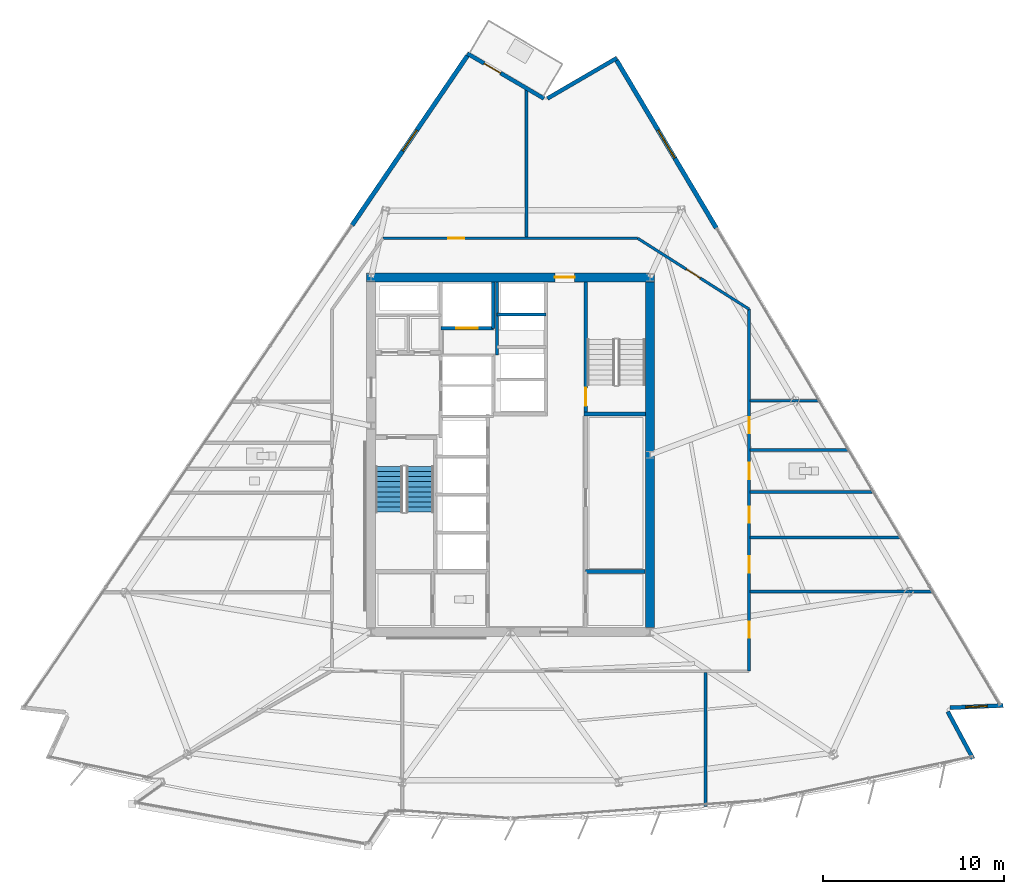
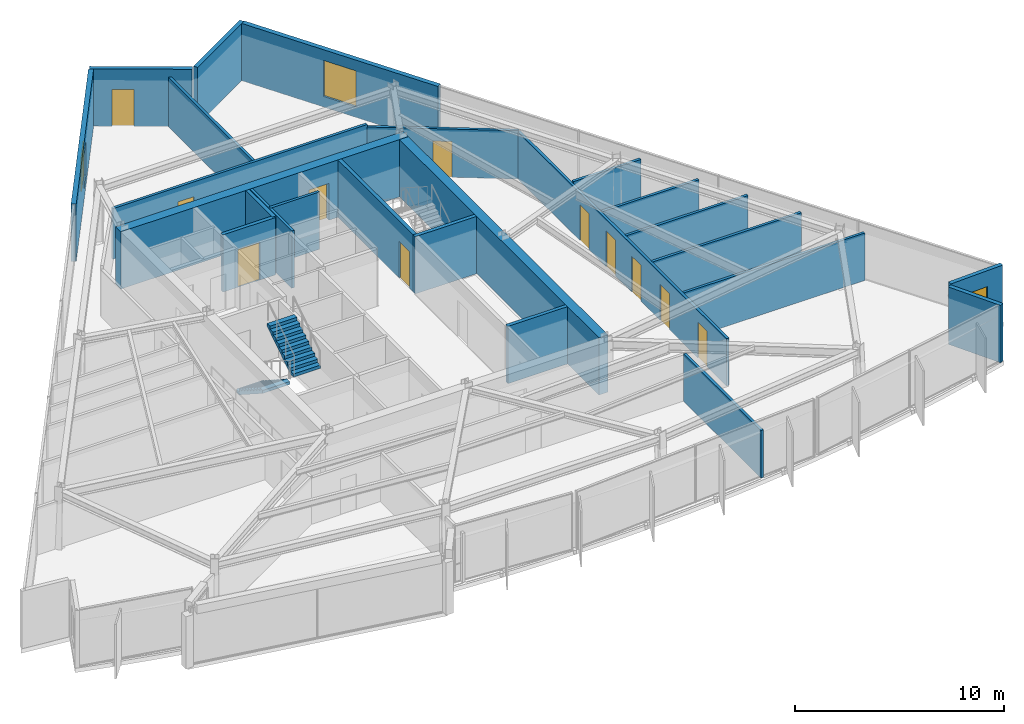
# One storey, part 10 of 16: 25 walls, 11 doors, 3 windows, 2 stair flights, 14 openings, 1 element without a shape of its own.
"""IFC4 building model written with IfcOpenShell, lengths in metres."""

from ifc_helpers import new_model, si_unit, direction, frame, frame_2d, origin, place, context, subcontext, project, spatial, polyline, rectangle, outline, extrude, material, layer, layer_set, type_object, element, fill, aggregate, save


model = new_model("IFC4")

# Units and contexts
model_context = context("Model", 3, precision=1e-05, world=origin(), true_north=direction((0.0, 1.0)))
body_context = subcontext(model_context, "Body", "Model", "MODEL_VIEW")
ifc_project = project(units=[si_unit("LENGTHUNIT", "METRE"), si_unit("AREAUNIT", "SQUARE_METRE"), si_unit("VOLUMEUNIT", "CUBIC_METRE"), si_unit("PLANEANGLEUNIT", "RADIAN"), si_unit("MASSUNIT", "GRAM", prefix="KILO")], contexts=[model_context])

# Site, building, storey
site_placement = place(None, origin())
site = spatial("IfcSite", under=ifc_project, at=site_placement, CompositionType="ELEMENT")
building_placement = place(site_placement, origin())
building = spatial("IfcBuilding", under=site, at=building_placement, Name="Savorim Split Tower", CompositionType="ELEMENT")
storey_placement = place(building_placement, frame((0.0, 0.0, 153.0)))
storey = spatial("IfcBuildingStorey", under=building, at=storey_placement, Name="L40", CompositionType="ELEMENT", Elevation=153.0)

# Wall, opening, door
ifc_material_1 = material(Name="Concrete C60/75", Category="concrete")
ifc_layer_1 = layer(ifc_material_1, 0.5)
ifc_layer_set_1 = layer_set([ifc_layer_1], Name="WAL-COR-SH500")
wall_type_1 = type_object("IfcWallType", Name="WAL-COR-SH500", PredefinedType="SHEAR", material=ifc_layer_set_1)
wall_1_placement = place(storey_placement, frame((7.949951171875, 10.199951171875, 0.0), z_axis=(0.0, 0.0, 1.0), x_axis=(-1.0, 0.0, 0.0)))
wall_1 = element("IfcWall", 1, at=wall_1_placement, inside=storey, type_object=wall_type_1, Name="L40 Offset Core North Shear Wall", PredefinedType="SHEAR", context=body_context, shape_type="SweptSolid", body=[
    extrude(rectangle(XDim=15.89990234375, YDim=0.5, at=frame_2d((7.949951171875, 0.0))), origin(), (0.0, 0.0, 1.0), 3.35009765625),
])
opening_1_placement = place(wall_1_placement, frame((4.39990234375, 0.0, 0.0)))
opening_1 = element("IfcOpeningElement", 2, at=opening_1_placement, cuts=wall_1, Name="Opening DI-03", PredefinedType="OPENING", context=body_context, shape_type="SweptSolid", body=[
    extrude(rectangle(XDim=1.10009765625, YDim=2.14990234375, at=frame_2d((0.550048828125, 1.074951171875))), frame((0.0, 0.260009765625, 0.0), z_axis=(0.0, -1.0, 0.0), x_axis=(1.0, 0.0, 0.0)), (0.0, 0.0, 1.0), 0.52001953125),
])
ifc_material_2 = material(Name="Timber Fire Door Leaf", Category="wood")
door_type_1 = type_object("IfcDoorType", Name="DOR-FIR-1100", OperationType="NOTDEFINED", PredefinedType="DOOR", material=ifc_material_2)
door_1_placement = place(opening_1_placement, origin())
door_1 = element("IfcDoor", 3, at=door_1_placement, inside=storey, type_object=door_type_1, Name="DOR-L40-COR-NLOB - L40 North Corridor Lobby Fire Door", OperationType="SINGLE_SWING_LEFT", OverallHeight=2.14990234375, OverallWidth=1.10009765625, PredefinedType="DOOR", context=body_context, shape_type="SweptSolid", body=[
    extrude(rectangle(XDim=1.10009765625, YDim=2.14990234375, at=frame_2d((0.550048828125, 1.074951171875))), frame((0.0, 0.02490234375, 0.0), z_axis=(0.0, -1.0, 0.0), x_axis=(1.0, 0.0, 0.0)), (0.0, 0.0, 1.0), 0.050048828125),
])
fill(opening_1, door_1)

# Walls
wall_2_placement = place(storey_placement, frame((7.699951171875, 9.949951171875, 0.0), z_axis=(0.0, 0.0, 1.0), x_axis=(0.0, -1.0, 0.0)))
element("IfcWall", 4, at=wall_2_placement, inside=storey, type_object=wall_type_1, Name="L40 Offset Core East Shear Wall", PredefinedType="SHEAR", context=body_context, shape_type="SweptSolid", body=[
    extrude(rectangle(XDim=19.099853515625, YDim=0.5, at=frame_2d((9.5498046875, 0.0))), origin(), (0.0, 0.0, 1.0), 3.35009765625),
])
ifc_material_3 = material(Name="Precast concrete C40/50", Category="concrete")
ifc_layer_2 = layer(ifc_material_3, 0.219970703125)
ifc_layer_set_2 = layer_set([ifc_layer_2], Name="WAL-EXT-CRN220")
wall_type_2 = type_object("IfcWallType", Name="WAL-EXT-CRN220", PredefinedType="SOLIDWALL", material=ifc_layer_set_2)
wall_3_placement = place(storey_placement, frame((24.15478515625, -13.789794921875, 0.0), z_axis=(0.0, 0.0, 1.0), x_axis=(0.472795751791, -0.881172047383, 0.0)))
element("IfcWall", 5, at=wall_3_placement, inside=storey, type_object=wall_type_2, Name="L40 Notched Corner Facade Wall SE1", PredefinedType="SOLIDWALL", context=body_context, shape_type="SweptSolid", body=[
    extrude(rectangle(XDim=2.948486328125, YDim=0.219970703125, at=frame_2d((1.47412109375, 0.0))), origin(), (0.0, 0.0, 1.0), 3.35009765625),
])

# Wall, opening, window
wall_4_placement = place(storey_placement, frame((27.219482421875, -13.450927734375, 0.0), z_axis=(0.0, 0.0, 1.0), x_axis=(-0.999095615947, -0.042519997593, 0.0)))
wall_4 = element("IfcWall", 6, at=wall_4_placement, inside=storey, type_object=wall_type_2, Name="L40 Notched Corner Facade Wall SE", PredefinedType="SOLIDWALL", context=body_context, shape_type="SweptSolid", body=[
    extrude(rectangle(XDim=2.945556640625, YDim=0.219970703125, at=frame_2d((1.47265625, 0.0))), origin(), (0.0, 0.0, 1.0), 3.35009765625),
])
opening_2_placement = place(wall_4_placement, frame((0.872802734375, 0.0, 0.6201171875)))
opening_2 = element("IfcOpeningElement", 7, at=opening_2_placement, cuts=wall_4, Name="Opening WN-08", PredefinedType="OPENING", context=body_context, shape_type="SweptSolid", body=[
    extrude(rectangle(XDim=1.199951171875, YDim=1.800048828125, at=frame_2d((0.60009765625, 0.89990234375))), frame((0.0, 0.119873046875, 0.0), z_axis=(0.0, -1.0, 0.0), x_axis=(1.0, 0.0, 0.0)), (0.0, 0.0, 1.0), 0.239990234375),
])
ifc_material_4 = material(Name="Low-E Operable Double Glazing", Category="glass")
window_type_1 = type_object("IfcWindowType", Name="WIN-TWR-1200x1800", PartitioningType="SINGLE_PANEL", PredefinedType="WINDOW", material=ifc_material_4)
window_1_placement = place(opening_2_placement, origin())
window_1 = element("IfcWindow", 8, at=window_1_placement, inside=storey, type_object=window_type_1, Name="L40 Operable Corner Window SE", OverallHeight=1.800048828125, OverallWidth=1.199951171875, PartitioningType="SINGLE_PANEL", PredefinedType="WINDOW", context=body_context, shape_type="SweptSolid", body=[
    extrude(rectangle(XDim=1.199951171875, YDim=1.800048828125, at=frame_2d((0.60009765625, 0.89990234375))), frame((0.0, 0.030029296875, 0.0), z_axis=(0.0, -1.0, 0.0), x_axis=(1.0, 0.0, 0.0)), (0.0, 0.0, 1.0), 0.06005859375),
])
fill(opening_2, window_1)

# Wall
wall_5_placement = place(storey_placement, frame((2.03857421875, 20.079345703125, 0.0), z_axis=(0.0, 0.0, 1.0), x_axis=(0.86398603623, 0.503515768571, 0.0)))
element("IfcWall", 9, at=wall_5_placement, inside=storey, type_object=wall_type_2, Name="L40 Notched Corner Facade Wall NE1", PredefinedType="SOLIDWALL", context=body_context, shape_type="SweptSolid", body=[
    extrude(rectangle(XDim=4.4443359375, YDim=0.219970703125, at=frame_2d((2.22216796875, 0.0))), origin(), (0.0, 0.0, 1.0), 3.35009765625),
])

# Wall, opening, door
wall_6_placement = place(storey_placement, frame((-2.384521484375, 22.5673828125, 0.0), z_axis=(0.0, 0.0, 1.0), x_axis=(0.8621258938, -0.506694131839, 0.0)))
wall_6 = element("IfcWall", 10, at=wall_6_placement, inside=storey, type_object=wall_type_2, Name="L40 Notched Corner Facade Wall N", PredefinedType="SOLIDWALL", context=body_context, shape_type="SweptSolid", body=[
    extrude(rectangle(XDim=4.909912109375, YDim=0.219970703125, at=frame_2d((2.455078125, 0.0))), origin(), (0.0, 0.0, 1.0), 3.35009765625),
])
opening_3_placement = place(wall_6_placement, frame((1.079833984375, 0.0, 0.0)))
opening_3 = element("IfcOpeningElement", 11, at=opening_3_placement, cuts=wall_6, Name="Opening DB-01", PredefinedType="OPENING", context=body_context, shape_type="SweptSolid", body=[
    extrude(rectangle(XDim=1.050048828125, YDim=2.14990234375, at=frame_2d((0.52490234375, 1.074951171875))), frame((0.0, 0.119873046875, 0.0), z_axis=(0.0, -1.0, 0.0), x_axis=(1.0, 0.0, 0.0)), (0.0, 0.0, 1.0), 0.239990234375),
])
ifc_material_5 = material(Name="Charcoal Anodised Aluminium", Category="aluminium")
door_type_2 = type_object("IfcDoorType", Name="DOR-BAL-1050", OperationType="NOTDEFINED", PredefinedType="DOOR", material=ifc_material_5)
door_2_placement = place(opening_3_placement, origin())
door_2 = element("IfcDoor", 12, at=door_2_placement, inside=storey, type_object=door_type_2, Name="DOR-L40-TBAL-N - L40 Planted Tree Balcony Door N", OperationType="SINGLE_SWING_LEFT", OverallHeight=2.14990234375, OverallWidth=1.050048828125, PredefinedType="DOOR", context=body_context, shape_type="SweptSolid", body=[
    extrude(rectangle(XDim=1.050048828125, YDim=2.14990234375, at=frame_2d((0.52490234375, 1.074951171875))), frame((0.0, 0.02490234375, 0.0), z_axis=(0.0, -1.0, 0.0), x_axis=(1.0, 0.0, 0.0)), (0.0, 0.0, 1.0), 0.050048828125),
])
fill(opening_3, door_2)

# Wall, opening, window
ifc_layer_3 = layer(ifc_material_3, 0.25)
ifc_layer_set_3 = layer_set([ifc_layer_3], Name="WAL-EXT-SPN250")
wall_type_3 = type_object("IfcWallType", Name="WAL-EXT-SPN250", PredefinedType="SOLIDWALL", material=ifc_layer_set_3)
wall_7_placement = place(storey_placement, frame((5.86181640625, 22.1904296875, 0.0), z_axis=(0.0, 0.0, 1.0), x_axis=(0.511083986456, -0.859530778267, 0.0)))
wall_7 = element("IfcWall", 13, at=wall_7_placement, inside=storey, type_object=wall_type_3, Name="L40 East Operable Window Pier", PredefinedType="SOLIDWALL", context=body_context, shape_type="SweptSolid", body=[
    extrude(rectangle(XDim=10.778076171875, YDim=0.25, at=frame_2d((5.38916015625, 0.0))), origin(), (0.0, 0.0, 1.0), 3.35009765625),
])
opening_4_placement = place(wall_7_placement, frame((4.4892578125, 0.0, 0.6201171875)))
opening_4 = element("IfcOpeningElement", 14, at=opening_4_placement, cuts=wall_7, Name="Opening WN-04", PredefinedType="OPENING", context=body_context, shape_type="SweptSolid", body=[
    extrude(rectangle(XDim=1.800048828125, YDim=2.10009765625, at=frame_2d((0.89990234375, 1.050048828125))), frame((0.0, 0.135009765625, 0.0), z_axis=(0.0, -1.0, 0.0), x_axis=(1.0, 0.0, 0.0)), (0.0, 0.0, 1.0), 0.27001953125),
])
window_type_2 = type_object("IfcWindowType", Name="WIN-TWR-1800x2100", PartitioningType="DOUBLE_PANEL_VERTICAL", PredefinedType="WINDOW", material=ifc_material_4)
window_2_placement = place(opening_4_placement, origin())
window_2 = element("IfcWindow", 15, at=window_2_placement, inside=storey, type_object=window_type_2, Name="L40 East Operable Ventilation Window", OverallHeight=2.10009765625, OverallWidth=1.800048828125, PartitioningType="SINGLE_PANEL", PredefinedType="WINDOW", context=body_context, shape_type="SweptSolid", body=[
    extrude(rectangle(XDim=1.800048828125, YDim=2.10009765625, at=frame_2d((0.89990234375, 1.050048828125))), frame((0.0, 0.030029296875, 0.0), z_axis=(0.0, -1.0, 0.0), x_axis=(1.0, 0.0, 0.0)), (0.0, 0.0, 1.0), 0.06005859375),
])
fill(opening_4, window_2)

wall_8_placement = place(storey_placement, frame((-8.75048828125, 13.080810546875, 0.0), z_axis=(0.0, 0.0, 1.0), x_axis=(0.562463958751, 0.82682180372, 0.0)))
wall_8 = element("IfcWall", 16, at=wall_8_placement, inside=storey, type_object=wall_type_3, Name="L40 West Operable Window Pier", PredefinedType="SOLIDWALL", context=body_context, shape_type="SweptSolid", body=[
    extrude(rectangle(XDim=11.321533203125, YDim=0.25, at=frame_2d((5.66064453125, 0.0))), origin(), (0.0, 0.0, 1.0), 3.35009765625),
])
opening_5_placement = place(wall_8_placement, frame((4.960693359375, 0.0, 0.6201171875)))
opening_5 = element("IfcOpeningElement", 17, at=opening_5_placement, cuts=wall_8, Name="Opening WN-07", PredefinedType="OPENING", context=body_context, shape_type="SweptSolid", body=[
    extrude(rectangle(XDim=1.39990234375, YDim=2.0, at=frame_2d((0.699951171875, 1.0))), frame((0.0, 0.135009765625, 0.0), z_axis=(0.0, -1.0, 0.0), x_axis=(1.0, 0.0, 0.0)), (0.0, 0.0, 1.0), 0.27001953125),
])
window_type_3 = type_object("IfcWindowType", Name="WIN-TWR-1400x2000", PartitioningType="SINGLE_PANEL", PredefinedType="WINDOW", material=ifc_material_4)
window_3_placement = place(opening_5_placement, origin())
window_3 = element("IfcWindow", 18, at=window_3_placement, inside=storey, type_object=window_type_3, Name="L40 West Operable Ventilation Window", OverallHeight=2.0, OverallWidth=1.39990234375, PartitioningType="SINGLE_PANEL", PredefinedType="WINDOW", context=body_context, shape_type="SweptSolid", body=[
    extrude(rectangle(XDim=1.39990234375, YDim=2.0, at=frame_2d((0.699951171875, 1.0))), frame((0.0, 0.030029296875, 0.0), z_axis=(0.0, -1.0, 0.0), x_axis=(1.0, 0.0, 0.0)), (0.0, 0.0, 1.0), 0.06005859375),
])
fill(opening_5, window_3)

# Wall, opening, door
ifc_material_6 = material(Name="Concrete C50/60", Category="concrete")
ifc_layer_4 = layer(ifc_material_6, 0.199951171875)
ifc_layer_set_4 = layer_set([ifc_layer_4], Name="WAL-INT-RC200")
wall_type_4 = type_object("IfcWallType", Name="WAL-INT-RC200", PredefinedType="SOLIDWALL", material=ifc_layer_set_4)
wall_9_placement = place(storey_placement, frame((4.14990234375, 2.75, 0.0), z_axis=(0.0, 0.0, 1.0), x_axis=(0.0, 1.0, 0.0)))
wall_9 = element("IfcWall", 19, at=wall_9_placement, inside=storey, type_object=wall_type_4, Name="L40 Structural Shaft Wall W-L40-CR07", PredefinedType="SOLIDWALL", context=body_context, shape_type="SweptSolid", body=[
    extrude(rectangle(XDim=7.199951171875, YDim=0.199951171875, at=frame_2d((3.60009765625, 0.0))), origin(), (0.0, 0.0, 1.0), 3.35009765625),
])
opening_6_placement = place(wall_9_placement, frame((0.35009765625, 0.0, 0.0)))
opening_6 = element("IfcOpeningElement", 20, at=opening_6_placement, cuts=wall_9, Name="Opening DI-04", PredefinedType="OPENING", context=body_context, shape_type="SweptSolid", body=[
    extrude(rectangle(XDim=1.0, YDim=2.14990234375, at=frame_2d((0.5, 1.074951171875))), frame((0.0, 0.10986328125, 0.0), z_axis=(0.0, -1.0, 0.0), x_axis=(1.0, 0.0, 0.0)), (0.0, 0.0, 1.0), 0.219970703125),
])
door_type_3 = type_object("IfcDoorType", Name="DOR-FIR-1000", OperationType="NOTDEFINED", PredefinedType="DOOR", material=ifc_material_2)
door_3_placement = place(opening_6_placement, origin())
door_3 = element("IfcDoor", 21, at=door_3_placement, inside=storey, type_object=door_type_3, Name="DR-L40-ST2 - L40 Stair ST-2 Enclosure Door", OperationType="SINGLE_SWING_RIGHT", OverallHeight=2.14990234375, OverallWidth=1.0, PredefinedType="DOOR", context=body_context, shape_type="SweptSolid", body=[
    extrude(rectangle(XDim=1.0, YDim=2.14990234375, at=frame_2d((0.5, 1.074951171875))), frame((0.0, 0.02490234375, 0.0), z_axis=(0.0, -1.0, 0.0), x_axis=(1.0, 0.0, 0.0)), (0.0, 0.0, 1.0), 0.050048828125),
])
fill(opening_6, door_3)

# Wall
wall_10_placement = place(storey_placement, frame((4.050048828125, 2.64990234375, 0.0), z_axis=(0.0, 0.0, 1.0), x_axis=(1.0, 0.0, 0.0)))
element("IfcWall", 22, at=wall_10_placement, inside=storey, type_object=wall_type_4, Name="L40 Structural Shaft Wall W-L40-CR08", PredefinedType="SOLIDWALL", context=body_context, shape_type="SweptSolid", body=[
    extrude(rectangle(XDim=3.39990234375, YDim=0.199951171875, at=frame_2d((1.699951171875, 0.0))), origin(), (0.0, 0.0, 1.0), 3.35009765625),
])

# Wall, opening, door
wall_11_placement = place(storey_placement, frame((-3.85009765625, 7.3798828125, 0.0), z_axis=(0.0, 0.0, 1.0), x_axis=(1.0, 0.0, 0.0)))
wall_11 = element("IfcWall", 23, at=wall_11_placement, inside=storey, type_object=wall_type_4, Name="L40 Partition W-L40-SVLS", PredefinedType="SOLIDWALL", context=body_context, shape_type="SweptSolid", body=[
    extrude(rectangle(XDim=2.900146484375, YDim=0.199951171875, at=frame_2d((1.4501953125, 0.0))), origin(), (0.0, 0.0, 1.0), 3.35009765625),
])
opening_7_placement = place(wall_11_placement, frame((0.85009765625, 0.0, 0.0)))
opening_7 = element("IfcOpeningElement", 24, at=opening_7_placement, cuts=wall_11, Name="Opening LD-SV", PredefinedType="OPENING", context=body_context, shape_type="SweptSolid", body=[
    extrude(rectangle(XDim=1.199951171875, YDim=2.199951171875, at=frame_2d((0.60009765625, 1.10009765625))), frame((0.0, 0.10986328125, 0.0), z_axis=(0.0, -1.0, 0.0), x_axis=(1.0, 0.0, 0.0)), (0.0, 0.0, 1.0), 0.219970703125),
])
door_type_4 = type_object("IfcDoorType", Name="DOR-SLD-SV1200", OperationType="NOTDEFINED", PredefinedType="DOOR", material=ifc_material_5)
door_4_placement = place(opening_7_placement, origin())
door_4 = element("IfcDoor", 25, at=door_4_placement, inside=storey, type_object=door_type_4, Name="DR-L40-LD-SVL1 - L40 Service Lift SVL-1 Sliding Landing Door", OperationType="DOUBLE_DOOR_SLIDING", OverallHeight=2.199951171875, OverallWidth=1.199951171875, PredefinedType="DOOR", context=body_context, shape_type="SweptSolid", body=[
    extrude(rectangle(XDim=1.199951171875, YDim=2.199951171875, at=frame_2d((0.60009765625, 1.10009765625))), frame((0.0, 0.02490234375, 0.0), z_axis=(0.0, -1.0, 0.0), x_axis=(1.0, 0.0, 0.0)), (0.0, 0.0, 1.0), 0.050048828125),
])
fill(opening_7, door_4)

# Walls
wall_12_placement = place(storey_placement, frame((-0.949951171875, 7.3798828125, 0.0), z_axis=(0.0, 0.0, 1.0), x_axis=(0.0, 1.0, 0.0)))
element("IfcWall", 26, at=wall_12_placement, inside=storey, type_object=wall_type_4, Name="L40 Partition W-L40-SVLE", PredefinedType="SOLIDWALL", context=body_context, shape_type="SweptSolid", body=[
    extrude(rectangle(XDim=2.565185546875, YDim=0.199951171875, at=frame_2d((1.28271484375, 0.0))), origin(), (0.0, 0.0, 1.0), 3.35009765625),
])
wall_13_placement = place(storey_placement, frame((4.14990234375, -6.050048828125, 0.0), z_axis=(0.0, 0.0, 1.0), x_axis=(1.0, 0.0, 0.0)))
element("IfcWall", 27, at=wall_13_placement, inside=storey, type_object=wall_type_4, Name="L40 Partition W-L40-KSEP-E", PredefinedType="SOLIDWALL", context=body_context, shape_type="SweptSolid", body=[
    extrude(rectangle(XDim=3.295166015625, YDim=0.199951171875, at=frame_2d((1.6474609375, 0.0))), origin(), (0.0, 0.0, 1.0), 3.35009765625),
])
ifc_material_7 = material(Name="Acoustic Gypsum Partition Board")
ifc_layer_5 = layer(ifc_material_7, 0.14990234375)
ifc_layer_set_5 = layer_set([ifc_layer_5], Name="WAL-PAR-150")
wall_type_5 = type_object("IfcWallType", Name="WAL-PAR-150", PredefinedType="PARTITIONING", material=ifc_layer_set_5)
wall_14_placement = place(storey_placement, frame((-0.75, 5.919921875, 0.0), z_axis=(0.0, 0.0, 1.0), x_axis=(0.0, 1.0, 0.0)))
element("IfcWall", 28, at=wall_14_placement, inside=storey, type_object=wall_type_5, Name="L40 Partition W-L40-B3WEST", PredefinedType="PARTITIONING", context=body_context, shape_type="SweptSolid", body=[
    extrude(rectangle(XDim=4.025146484375, YDim=0.14990234375, at=frame_2d((2.0126953125, 0.0))), origin(), (0.0, 0.0, 1.0), 3.35009765625),
])
wall_15_placement = place(storey_placement, frame((-0.75, 8.14990234375, 0.0), z_axis=(0.0, 0.0, 1.0), x_axis=(1.0, 0.0, 0.0)))
element("IfcWall", 29, at=wall_15_placement, inside=storey, type_object=wall_type_5, Name="L40 Partition W-L40-B3DIV3", PredefinedType="PARTITIONING", context=body_context, shape_type="SweptSolid", body=[
    extrude(rectangle(XDim=2.699951171875, YDim=0.14990234375, at=frame_2d((1.35009765625, 0.0))), origin(), (0.0, 0.0, 1.0), 3.35009765625),
])

# Wall, opening, door
wall_16_placement = place(storey_placement, frame((-7.041015625, 12.360107421875, 0.0), z_axis=(0.0, 0.0, 1.0), x_axis=(1.0, 0.0, 0.0)))
wall_16 = element("IfcWall", 30, at=wall_16_placement, inside=storey, type_object=wall_type_5, Name="L40 Partition W-L40-COR-03", PredefinedType="PARTITIONING", context=body_context, shape_type="SweptSolid", body=[
    extrude(rectangle(XDim=14.064208984375, YDim=0.14990234375, at=frame_2d((7.0322265625, 0.0))), origin(), (0.0, 0.0, 1.0), 2.965087890625),
])
opening_8_placement = place(wall_16_placement, frame((3.59912109375, 0.0, 0.0)))
opening_8 = element("IfcOpeningElement", 31, at=opening_8_placement, cuts=wall_16, Name="Opening DI-06", PredefinedType="OPENING", context=body_context, shape_type="SweptSolid", body=[
    extrude(rectangle(XDim=0.89990234375, YDim=2.10009765625, at=frame_2d((0.449951171875, 1.050048828125))), frame((0.0, 0.0849609375, 0.0), z_axis=(0.0, -1.0, 0.0), x_axis=(1.0, 0.0, 0.0)), (0.0, 0.0, 1.0), 0.169921875),
])
door_type_5 = type_object("IfcDoorType", Name="DOR-FIR-900", OperationType="NOTDEFINED", PredefinedType="DOOR", material=ifc_material_2)
door_5_placement = place(opening_8_placement, origin())
door_5 = element("IfcDoor", 32, at=door_5_placement, inside=storey, type_object=door_type_5, Name="DR-L40-RM14 - L40 Co-Working Commons Entry Door", OperationType="SINGLE_SWING_LEFT", OverallHeight=2.10009765625, OverallWidth=0.89990234375, PredefinedType="DOOR", context=body_context, shape_type="SweptSolid", body=[
    extrude(rectangle(XDim=0.89990234375, YDim=2.10009765625, at=frame_2d((0.449951171875, 1.050048828125))), frame((0.0, 0.02490234375, 0.0), z_axis=(0.0, -1.0, 0.0), x_axis=(1.0, 0.0, 0.0)), (0.0, 0.0, 1.0), 0.050048828125),
])
fill(opening_8, door_5)

wall_17_placement = place(storey_placement, frame((7.023193359375, 12.360107421875, 0.0), z_axis=(0.0, 0.0, 1.0), x_axis=(0.84376480085, -0.536713108511, 0.0)))
wall_17 = element("IfcWall", 33, at=wall_17_placement, inside=storey, type_object=wall_type_5, Name="L40 Partition W-L40-COR-04", PredefinedType="PARTITIONING", context=body_context, shape_type="SweptSolid", body=[
    extrude(rectangle(XDim=7.296630859375, YDim=0.14990234375, at=frame_2d((3.6484375, 0.0))), origin(), (0.0, 0.0, 1.0), 2.824951171875),
])
opening_9_placement = place(wall_17_placement, frame((3.1982421875, 0.0, 0.0)))
opening_9 = element("IfcOpeningElement", 34, at=opening_9_placement, cuts=wall_17, Name="Opening DI-06", PredefinedType="OPENING", context=body_context, shape_type="SweptSolid", body=[
    extrude(rectangle(XDim=0.89990234375, YDim=2.10009765625, at=frame_2d((0.449951171875, 1.050048828125))), frame((0.0, 0.0849609375, 0.0), z_axis=(0.0, -1.0, 0.0), x_axis=(1.0, 0.0, 0.0)), (0.0, 0.0, 1.0), 0.169921875),
])
door_6_placement = place(opening_9_placement, origin())
door_6 = element("IfcDoor", 35, at=door_6_placement, inside=storey, type_object=door_type_5, Name="DR-L40-RM13 - L40 Co-Working Commons Entry Door", OperationType="SINGLE_SWING_RIGHT", OverallHeight=2.10009765625, OverallWidth=0.89990234375, PredefinedType="DOOR", context=body_context, shape_type="SweptSolid", body=[
    extrude(rectangle(XDim=0.89990234375, YDim=2.10009765625, at=frame_2d((0.449951171875, 1.050048828125))), frame((0.0, 0.02490234375, 0.0), z_axis=(0.0, -1.0, 0.0), x_axis=(1.0, 0.0, 0.0)), (0.0, 0.0, 1.0), 0.050048828125),
])
fill(opening_9, door_6)

# Wall, openings, doors
wall_18_placement = place(storey_placement, frame((13.179931640625, 8.44384765625, 0.0), z_axis=(0.0, 0.0, 1.0), x_axis=(0.0, -1.0, 0.0)))
wall_18 = element("IfcWall", 36, at=wall_18_placement, inside=storey, type_object=wall_type_5, Name="L40 Partition W-L40-COR-05", PredefinedType="PARTITIONING", context=body_context, shape_type="SweptSolid", body=[
    extrude(rectangle(XDim=20.00390625, YDim=0.14990234375, at=frame_2d((10.001953125, 0.0))), origin(), (0.0, 0.0, 1.0), 2.77490234375),
])
opening_10_placement = place(wall_18_placement, frame((17.264404296875, 0.0, 0.0)))
opening_10 = element("IfcOpeningElement", 37, at=opening_10_placement, cuts=wall_18, Name="Opening DI-06", PredefinedType="OPENING", context=body_context, shape_type="SweptSolid", body=[
    extrude(rectangle(XDim=0.89990234375, YDim=2.10009765625, at=frame_2d((0.449951171875, 1.050048828125))), frame((0.0, 0.0849609375, 0.0), z_axis=(0.0, -1.0, 0.0), x_axis=(1.0, 0.0, 0.0)), (0.0, 0.0, 1.0), 0.169921875),
])
opening_11_placement = place(wall_18_placement, frame((13.6591796875, 0.0, 0.0)))
opening_11 = element("IfcOpeningElement", 38, at=opening_11_placement, cuts=wall_18, Name="Opening DI-06", PredefinedType="OPENING", context=body_context, shape_type="SweptSolid", body=[
    extrude(rectangle(XDim=0.89990234375, YDim=2.10009765625, at=frame_2d((0.449951171875, 1.050048828125))), frame((0.0, 0.0849609375, 0.0), z_axis=(0.0, -1.0, 0.0), x_axis=(1.0, 0.0, 0.0)), (0.0, 0.0, 1.0), 0.169921875),
])
opening_12_placement = place(wall_18_placement, frame((10.905517578125, 0.0, 0.0)))
opening_12 = element("IfcOpeningElement", 39, at=opening_12_placement, cuts=wall_18, Name="Opening DI-06", PredefinedType="OPENING", context=body_context, shape_type="SweptSolid", body=[
    extrude(rectangle(XDim=0.89990234375, YDim=2.10009765625, at=frame_2d((0.449951171875, 1.050048828125))), frame((0.0, 0.0849609375, 0.0), z_axis=(0.0, -1.0, 0.0), x_axis=(1.0, 0.0, 0.0)), (0.0, 0.0, 1.0), 0.169921875),
])
opening_13_placement = place(wall_18_placement, frame((8.4892578125, 0.0, 0.0)))
opening_13 = element("IfcOpeningElement", 40, at=opening_13_placement, cuts=wall_18, Name="Opening DI-11", PredefinedType="OPENING", context=body_context, shape_type="SweptSolid", body=[
    extrude(rectangle(XDim=0.89990234375, YDim=2.10009765625, at=frame_2d((0.449951171875, 1.050048828125))), frame((0.0, 0.0849609375, 0.0), z_axis=(0.0, -1.0, 0.0), x_axis=(1.0, 0.0, 0.0)), (0.0, 0.0, 1.0), 0.169921875),
])
opening_14_placement = place(wall_18_placement, frame((5.969482421875, 0.0, 0.0)))
opening_14 = element("IfcOpeningElement", 41, at=opening_14_placement, cuts=wall_18, Name="Opening DI-06", PredefinedType="OPENING", context=body_context, shape_type="SweptSolid", body=[
    extrude(rectangle(XDim=0.89990234375, YDim=2.10009765625, at=frame_2d((0.449951171875, 1.050048828125))), frame((0.0, 0.0849609375, 0.0), z_axis=(0.0, -1.0, 0.0), x_axis=(1.0, 0.0, 0.0)), (0.0, 0.0, 1.0), 0.169921875),
])
door_7_placement = place(opening_10_placement, origin())
door_7 = element("IfcDoor", 42, at=door_7_placement, inside=storey, type_object=door_type_5, Name="DR-L40-RM08 - L40 Co-Working Commons Entry Door", OperationType="SINGLE_SWING_LEFT", OverallHeight=2.10009765625, OverallWidth=0.89990234375, PredefinedType="DOOR", context=body_context, shape_type="SweptSolid", body=[
    extrude(rectangle(XDim=0.89990234375, YDim=2.10009765625, at=frame_2d((0.449951171875, 1.050048828125))), frame((0.0, 0.02490234375, 0.0), z_axis=(0.0, -1.0, 0.0), x_axis=(1.0, 0.0, 0.0)), (0.0, 0.0, 1.0), 0.050048828125),
])
fill(opening_10, door_7)
door_8_placement = place(opening_11_placement, origin())
door_8 = element("IfcDoor", 43, at=door_8_placement, inside=storey, type_object=door_type_5, Name="DR-L40-RM09 - L40 Co-Working Commons Entry Door", OperationType="SINGLE_SWING_RIGHT", OverallHeight=2.10009765625, OverallWidth=0.89990234375, PredefinedType="DOOR", context=body_context, shape_type="SweptSolid", body=[
    extrude(rectangle(XDim=0.89990234375, YDim=2.10009765625, at=frame_2d((0.449951171875, 1.050048828125))), frame((0.0, 0.02490234375, 0.0), z_axis=(0.0, -1.0, 0.0), x_axis=(1.0, 0.0, 0.0)), (0.0, 0.0, 1.0), 0.050048828125),
])
fill(opening_11, door_8)
door_9_placement = place(opening_12_placement, origin())
door_9 = element("IfcDoor", 44, at=door_9_placement, inside=storey, type_object=door_type_5, Name="DR-L40-RM10 - L40 Co-Working Commons Entry Door", OperationType="SINGLE_SWING_LEFT", OverallHeight=2.10009765625, OverallWidth=0.89990234375, PredefinedType="DOOR", context=body_context, shape_type="SweptSolid", body=[
    extrude(rectangle(XDim=0.89990234375, YDim=2.10009765625, at=frame_2d((0.449951171875, 1.050048828125))), frame((0.0, 0.02490234375, 0.0), z_axis=(0.0, -1.0, 0.0), x_axis=(1.0, 0.0, 0.0)), (0.0, 0.0, 1.0), 0.050048828125),
])
fill(opening_12, door_9)
door_10_placement = place(opening_14_placement, origin())
door_10 = element("IfcDoor", 45, at=door_10_placement, inside=storey, type_object=door_type_5, Name="DR-L40-RM12 - L40 Quiet Study Room Entry Door", OperationType="SINGLE_SWING_LEFT", OverallHeight=2.10009765625, OverallWidth=0.89990234375, PredefinedType="DOOR", context=body_context, shape_type="SweptSolid", body=[
    extrude(rectangle(XDim=0.89990234375, YDim=2.10009765625, at=frame_2d((0.449951171875, 1.050048828125))), frame((0.0, 0.02490234375, 0.0), z_axis=(0.0, -1.0, 0.0), x_axis=(1.0, 0.0, 0.0)), (0.0, 0.0, 1.0), 0.050048828125),
])
fill(opening_14, door_10)
ifc_material_8 = material(Name="Oak Veneer Acoustic Door")
door_type_6 = type_object("IfcDoorType", Name="DOR-WC-900", OperationType="NOTDEFINED", PredefinedType="DOOR", material=ifc_material_8)
door_11_placement = place(opening_13_placement, origin())
door_11 = element("IfcDoor", 46, at=door_11_placement, inside=storey, type_object=door_type_6, Name="DR-L40-RM11 - L40 Shared Bathroom Entry Door", OperationType="SINGLE_SWING_RIGHT", OverallHeight=2.10009765625, OverallWidth=0.89990234375, PredefinedType="DOOR", context=body_context, shape_type="SweptSolid", body=[
    extrude(rectangle(XDim=0.89990234375, YDim=2.10009765625, at=frame_2d((0.449951171875, 1.050048828125))), frame((0.0, 0.02490234375, 0.0), z_axis=(0.0, -1.0, 0.0), x_axis=(1.0, 0.0, 0.0)), (0.0, 0.0, 1.0), 0.050048828125),
])
fill(opening_13, door_11)

# Walls
wall_19_placement = place(storey_placement, frame((13.239990234375, -7.1591796875, 0.0), z_axis=(0.0, 0.0, 1.0), x_axis=(1.0, 0.0, 0.0)))
element("IfcWall", 47, at=wall_19_placement, inside=storey, type_object=wall_type_5, Name="L40 Partition W-L40-PRAD05", PredefinedType="PARTITIONING", context=body_context, shape_type="SweptSolid", body=[
    extrude(rectangle(XDim=10.015380859375, YDim=0.14990234375, at=frame_2d((5.0078125, 0.0))), origin(), (0.0, 0.0, 1.0), 2.77490234375),
])
wall_20_placement = place(storey_placement, frame((13.239990234375, 3.3876953125, 0.0), z_axis=(0.0, 0.0, 1.0), x_axis=(1.0, 0.0, 0.0)))
element("IfcWall", 48, at=wall_20_placement, inside=storey, type_object=wall_type_5, Name="L40 Partition W-L40-PRAD06", PredefinedType="PARTITIONING", context=body_context, shape_type="SweptSolid", body=[
    extrude(rectangle(XDim=3.744140625, YDim=0.14990234375, at=frame_2d((1.8720703125, 0.0))), origin(), (0.0, 0.0, 1.0), 2.885009765625),
])
wall_21_placement = place(storey_placement, frame((13.239990234375, -1.65185546875, 0.0), z_axis=(0.0, 0.0, 1.0), x_axis=(1.0, 0.0, 0.0)))
element("IfcWall", 49, at=wall_21_placement, inside=storey, type_object=wall_type_5, Name="L40 Partition W-L40-SUB02", PredefinedType="PARTITIONING", context=body_context, shape_type="SweptSolid", body=[
    extrude(rectangle(XDim=6.74072265625, YDim=0.14990234375, at=frame_2d((3.370361328125, 0.0))), origin(), (0.0, 0.0, 1.0), 2.77490234375),
])
wall_22_placement = place(storey_placement, frame((10.777099609375, -11.6201171875, 0.0), z_axis=(0.0, 0.0, 1.0), x_axis=(0.0, -1.0, 0.0)))
element("IfcWall", 50, at=wall_22_placement, inside=storey, type_object=wall_type_5, Name="L40 Partition W-L40-SUB04", PredefinedType="PARTITIONING", context=body_context, shape_type="SweptSolid", body=[
    extrude(rectangle(XDim=7.408935546875, YDim=0.14990234375, at=frame_2d((3.70458984375, 0.0))), origin(), (0.0, 0.0, 1.0), 2.77490234375),
])
wall_23_placement = place(storey_placement, frame((13.239990234375, -4.17138671875, 0.0), z_axis=(0.0, 0.0, 1.0), x_axis=(1.0, 0.0, 0.0)))
element("IfcWall", 51, at=wall_23_placement, inside=storey, type_object=wall_type_5, Name="L40 Partition W-L40-SUB05", PredefinedType="PARTITIONING", context=body_context, shape_type="SweptSolid", body=[
    extrude(rectangle(XDim=8.239013671875, YDim=0.14990234375, at=frame_2d((4.11962890625, 0.0))), origin(), (0.0, 0.0, 1.0), 2.77490234375),
])
wall_24_placement = place(storey_placement, frame((13.239990234375, 0.660888671875, 0.0), z_axis=(0.0, 0.0, 1.0), x_axis=(1.0, 0.0, 0.0)))
element("IfcWall", 52, at=wall_24_placement, inside=storey, type_object=wall_type_5, Name="L40 Partition W-L40-SUB06", PredefinedType="PARTITIONING", context=body_context, shape_type="SweptSolid", body=[
    extrude(rectangle(XDim=5.365478515625, YDim=0.14990234375, at=frame_2d((2.6826171875, 0.0))), origin(), (0.0, 0.0, 1.0), 2.77490234375),
])
wall_25_placement = place(storey_placement, frame((0.87890625, 12.419921875, 0.0), z_axis=(0.0, 0.0, 1.0), x_axis=(0.0, 1.0, 0.0)))
element("IfcWall", 53, at=wall_25_placement, inside=storey, type_object=wall_type_5, Name="L40 Partition W-L40-SUB07", PredefinedType="PARTITIONING", context=body_context, shape_type="SweptSolid", body=[
    extrude(rectangle(XDim=8.17138671875, YDim=0.14990234375, at=frame_2d((4.085693359375, 0.0))), origin(), (0.0, 0.0, 1.0), 2.885009765625),
])

# Stair, stair flights
stair_type = type_object("IfcStairType", Name="STR-DOG-3600", PredefinedType="HALF_TURN_STAIR", material=ifc_material_6)
stair_placement = place(storey_placement, origin())
stair = element("IfcStair", 54, at=stair_placement, inside=storey, type_object=stair_type, Name="L40 Core Protected Exit Stair ST-1", PredefinedType="HALF_TURN_STAIR")
stair_flight_type = type_object("IfcStairFlightType", Name="SFL-DOG-3600", PredefinedType="STRAIGHT", material=ifc_material_6)
stair_flight_1_placement = place(storey_placement, frame((-6.699951171875, -0.25, 0.0), z_axis=(0.0, 0.0, 1.0), x_axis=(0.0, -1.0, 0.0)))
stair_flight_1 = element("IfcStairFlight", 55, at=stair_flight_1_placement, type_object=stair_flight_type, Name="ST-1 flight 1", NumberOfRisers=10, NumberOfTreads=9, PredefinedType="STRAIGHT", RiserHeight=0.18, TreadLength=0.28, context=body_context, shape_type="SweptSolid", body=[
    extrude(outline(polyline([(0.0, 0.0), (0.0, 0.179931640625), (0.280029296875, 0.179931640625), (0.280029296875, 0.360107421875), (0.56005859375, 0.360107421875), (0.56005859375, 0.5400390625), (0.840087890625, 0.5400390625), (0.840087890625, 0.719970703125), (1.1201171875, 0.719970703125), (1.1201171875, 0.89990234375), (1.39990234375, 0.89990234375), (1.39990234375, 1.080078125), (1.679931640625, 1.080078125), (1.679931640625, 1.260009765625), (1.9599609375, 1.260009765625), (1.9599609375, 1.43994140625), (2.239990234375, 1.43994140625), (2.239990234375, 1.6201171875), (2.52001953125, 1.6201171875), (2.52001953125, 1.800048828125), (2.52001953125, 1.44189453125), (0.277099609375, 0.0), (0.0, 0.0)])), frame((0.0, 0.75, 0.0), z_axis=(0.0, -1.0, 0.0), x_axis=(1.0, 0.0, 0.0)), (0.0, 0.0, 1.0), 1.5),
])
stair_flight_2_placement = place(storey_placement, frame((-5.0, -2.77001953125, 1.800048828125), z_axis=(0.0, 0.0, 1.0), x_axis=(0.0, 1.0, 0.0)))
stair_flight_2 = element("IfcStairFlight", 56, at=stair_flight_2_placement, type_object=stair_flight_type, Name="ST-1 flight 2", NumberOfRisers=10, NumberOfTreads=9, PredefinedType="STRAIGHT", RiserHeight=0.18, TreadLength=0.28, context=body_context, shape_type="SweptSolid", body=[
    extrude(outline(polyline([(0.0, 0.0), (0.0, 0.179931640625), (0.280029296875, 0.179931640625), (0.280029296875, 0.360107421875), (0.56005859375, 0.360107421875), (0.56005859375, 0.5400390625), (0.840087890625, 0.5400390625), (0.840087890625, 0.719970703125), (1.1201171875, 0.719970703125), (1.1201171875, 0.89990234375), (1.39990234375, 0.89990234375), (1.39990234375, 1.080078125), (1.679931640625, 1.080078125), (1.679931640625, 1.260009765625), (1.9599609375, 1.260009765625), (1.9599609375, 1.43994140625), (2.239990234375, 1.43994140625), (2.239990234375, 1.6201171875), (2.52001953125, 1.6201171875), (2.52001953125, 1.800048828125), (2.52001953125, 1.44189453125), (0.277099609375, 0.0), (0.0, 0.0)])), frame((0.0, 0.75, 0.0), z_axis=(0.0, -1.0, 0.0), x_axis=(1.0, 0.0, 0.0)), (0.0, 0.0, 1.0), 1.5),
])
aggregate(stair, [stair_flight_1, stair_flight_2])

save(model, "model.ifc")
